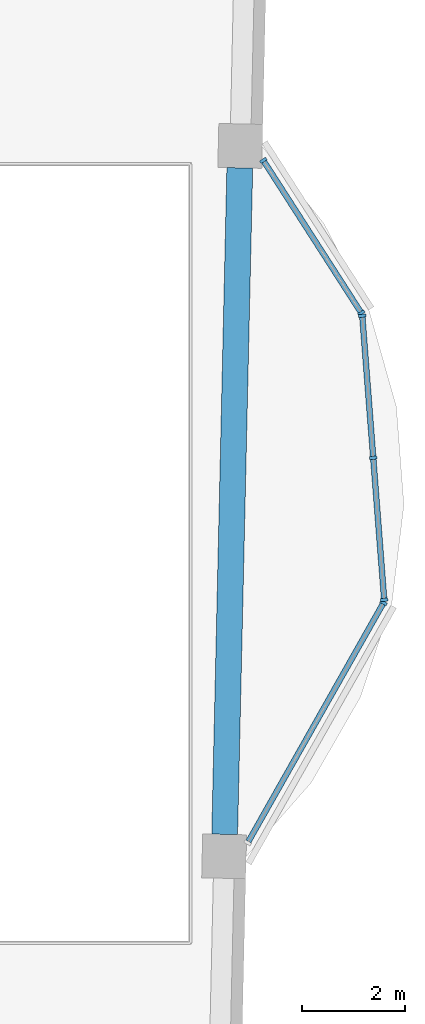
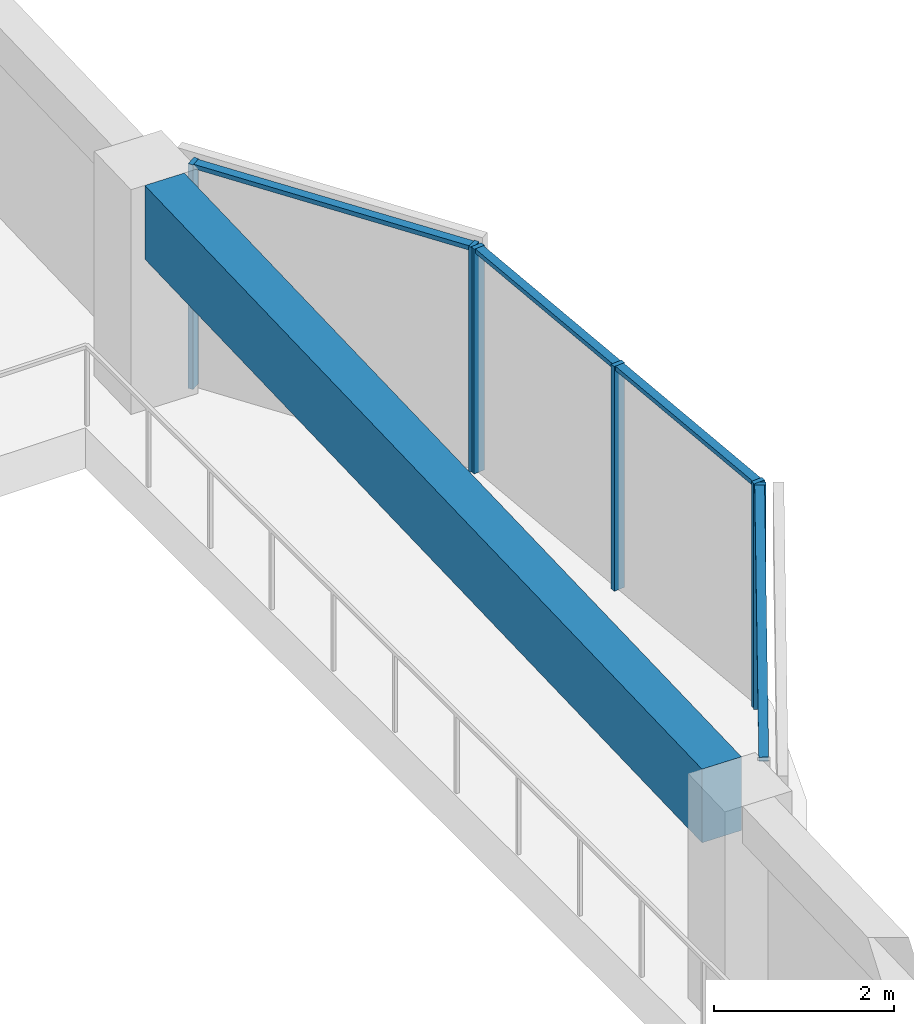
# One storey, part 4 of 11: 10 members, 1 beam, 3 elements without a shape of their own.
"""IFC4 building model written with IfcOpenShell, lengths in metres."""

from ifc_helpers import new_model, si_unit, direction, frame, origin, origin_2d, place, context, subcontext, project, spatial, rectangle, extrude, material, material_profile, profile_set, type_object, element, aggregate, save


model = new_model("IFC4")

# Units and contexts
model_context = context("Model", 3, precision=1e-05, world=origin(), true_north=direction((0.0, 1.0)))
body_context = subcontext(model_context, "Body", "Model", "MODEL_VIEW")
ifc_project = project(units=[si_unit("LENGTHUNIT", "METRE"), si_unit("AREAUNIT", "SQUARE_METRE"), si_unit("VOLUMEUNIT", "CUBIC_METRE"), si_unit("PLANEANGLEUNIT", "RADIAN"), si_unit("MASSUNIT", "GRAM", prefix="KILO")], contexts=[model_context])

# Site, building, storey
site_placement = place(None, origin())
site = spatial("IfcSite", under=ifc_project, at=site_placement, CompositionType="ELEMENT")
building_placement = place(site_placement, origin())
building = spatial("IfcBuilding", under=site, at=building_placement, Name="Mangrove Gate Tower", CompositionType="ELEMENT")
storey_placement = place(building_placement, frame((0.0, 0.0, 334.300048828125)))
storey = spatial("IfcBuildingStorey", under=building, at=storey_placement, Name="L85", CompositionType="ELEMENT", Elevation=334.300048828125)

# Curtain wall, member
ifc_material_1 = material(Name="Aluminium and glass curtain wall", Category="aluminium")
curtain_wall_type = type_object("IfcCurtainWallType", Name="Crown garden glazing wall", PredefinedType="NOTDEFINED", material=ifc_material_1)
curtain_wall_1_placement = place(storey_placement, origin())
curtain_wall_1 = element("IfcCurtainWall", 1, at=curtain_wall_1_placement, inside=storey, type_object=curtain_wall_type, Name="Crown garden glazing E1f1", PredefinedType="NOTDEFINED")
ifc_material_2 = material(Name="Aluminium alloy 6063-T6", Category="aluminium")
ifc_material_profile_1 = material_profile(ifc_material_2, rectangle(XDim=0.06005859375, YDim=0.139892578125, at=origin_2d()))
ifc_profile_set_1 = profile_set([ifc_material_profile_1], Name="Aluminium alloy 6063-T6")
member_type_1 = type_object("IfcMemberType", Name="Crown garden glazing mullion 60x140", PredefinedType="MULLION", material=ifc_profile_set_1)
member_1_placement = place(storey_placement, frame((29.396484375, -0.95361328125, 0.0), z_axis=(0.0, 0.0, 1.0), x_axis=(0.492565947646, 0.870275121568, 0.0)))
member_1 = element("IfcMember", 2, at=member_1_placement, type_object=member_type_1, Name="CWC mullion 2", PredefinedType="MULLION", context=body_context, shape_type="SweptSolid", body=[
    extrude(rectangle(XDim=0.06005859375, YDim=0.139892578125, at=origin_2d()), origin(), (0.0, 0.0, 1.0), 3.050048828125),
])

# Curtain wall, members
curtain_wall_2_placement = place(storey_placement, origin())
curtain_wall_2 = element("IfcCurtainWall", 3, at=curtain_wall_2_placement, inside=storey, type_object=curtain_wall_type, Name="Crown garden glazing E1f2", PredefinedType="NOTDEFINED")
member_2_placement = place(storey_placement, frame((29.408935546875, -0.897705078125, 0.0), z_axis=(0.0, 0.0, 1.0), x_axis=(-0.077023348386, 0.997029289341, 0.0)))
member_2 = element("IfcMember", 4, at=member_2_placement, type_object=member_type_1, Name="CWC mullion 1", PredefinedType="MULLION", context=body_context, shape_type="SweptSolid", body=[
    extrude(rectangle(XDim=0.06005859375, YDim=0.139892578125, at=origin_2d()), origin(), (0.0, 0.0, 1.0), 3.050048828125),
])
member_3_placement = place(storey_placement, frame((29.196533203125, 1.850830078125, 0.0), z_axis=(0.0, 0.0, 1.0), x_axis=(-0.077023348386, 0.997029289341, 0.0)))
member_3 = element("IfcMember", 5, at=member_3_placement, type_object=member_type_1, Name="CWC mullion 2", PredefinedType="MULLION", context=body_context, shape_type="SweptSolid", body=[
    extrude(rectangle(XDim=0.06005859375, YDim=0.139892578125, at=origin_2d()), origin(), (0.0, 0.0, 1.0), 3.050048828125),
])
member_4_placement = place(storey_placement, frame((28.984130859375, 4.599365234375, 0.0), z_axis=(0.0, 0.0, 1.0), x_axis=(-0.077023348386, 0.997029289341, 0.0)))
member_4 = element("IfcMember", 6, at=member_4_placement, type_object=member_type_1, Name="CWC mullion 3", PredefinedType="MULLION", context=body_context, shape_type="SweptSolid", body=[
    extrude(rectangle(XDim=0.06005859375, YDim=0.139892578125, at=origin_2d()), origin(), (0.0, 0.0, 1.0), 3.050048828125),
])

curtain_wall_3_placement = place(storey_placement, origin())
curtain_wall_3 = element("IfcCurtainWall", 7, at=curtain_wall_3_placement, inside=storey, type_object=curtain_wall_type, Name="Crown garden glazing E1f3", PredefinedType="NOTDEFINED")
member_5_placement = place(storey_placement, frame((28.965576171875, 4.654541015625, 0.0), z_axis=(0.0, 0.0, 1.0), x_axis=(-0.540496498899, 0.841346263246, 0.0)))
member_5 = element("IfcMember", 8, at=member_5_placement, type_object=member_type_1, Name="CWC mullion 1", PredefinedType="MULLION", context=body_context, shape_type="SweptSolid", body=[
    extrude(rectangle(XDim=0.06005859375, YDim=0.139892578125, at=origin_2d()), origin(), (0.0, 0.0, 1.0), 3.050048828125),
])
member_6_placement = place(storey_placement, frame((27.069580078125, 7.60595703125, 0.0), z_axis=(0.0, 0.0, 1.0), x_axis=(-0.540496498899, 0.841346263246, 0.0)))
member_6 = element("IfcMember", 9, at=member_6_placement, type_object=member_type_1, Name="CWC mullion 2", PredefinedType="MULLION", context=body_context, shape_type="SweptSolid", body=[
    extrude(rectangle(XDim=0.06005859375, YDim=0.139892578125, at=origin_2d()), origin(), (0.0, 0.0, 1.0), 3.050048828125),
])

# Member
ifc_material_3 = material(Name="Aluminium alloy 6063-T6", Category="aluminium")
ifc_material_profile_2 = material_profile(ifc_material_3, rectangle(XDim=0.06005859375, YDim=0.110107421875, at=origin_2d()))
ifc_profile_set_2 = profile_set([ifc_material_profile_2], Name="Aluminium alloy 6063-T6")
member_type_2 = type_object("IfcMemberType", Name="Crown garden glazing transom 60x110", PredefinedType="USERDEFINED", material=ifc_profile_set_2)
member_7_placement = place(storey_placement, frame((26.7822265625, -5.57275390625, 3.02001953125), z_axis=(0.492532775623, 0.870293895726, 0.0), x_axis=(0.0, 0.0, 1.0)))
member_7 = element("IfcMember", 10, at=member_7_placement, type_object=member_type_2, Name="CWC transom 1.2", ObjectType="TRANSOM", PredefinedType="USERDEFINED", context=body_context, shape_type="SweptSolid", body=[
    extrude(rectangle(XDim=0.06005859375, YDim=0.110107421875, at=origin_2d()), origin(), (0.0, 0.0, 1.0), 5.277587890625),
])

aggregate(curtain_wall_1, [member_1, member_7])

member_8_placement = place(storey_placement, frame((29.406494140625, -0.86767578125, 3.02001953125), z_axis=(-0.076952650158, 0.997034748458, 0.0), x_axis=(0.0, 0.0, 1.0)))
member_8 = element("IfcMember", 11, at=member_8_placement, type_object=member_type_2, Name="CWC transom 1.2", ObjectType="TRANSOM", PredefinedType="USERDEFINED", context=body_context, shape_type="SweptSolid", body=[
    extrude(rectangle(XDim=0.06005859375, YDim=0.110107421875, at=origin_2d()), origin(), (0.0, 0.0, 1.0), 2.69677734375),
])

member_9_placement = place(storey_placement, frame((29.1943359375, 1.880859375, 3.02001953125), z_axis=(-0.077042645639, 0.997027798385, 0.0), x_axis=(0.0, 0.0, 1.0)))
member_9 = element("IfcMember", 12, at=member_9_placement, type_object=member_type_2, Name="CWC transom 2.2", ObjectType="TRANSOM", PredefinedType="USERDEFINED", context=body_context, shape_type="SweptSolid", body=[
    extrude(rectangle(XDim=0.06005859375, YDim=0.110107421875, at=origin_2d()), origin(), (0.0, 0.0, 1.0), 2.69677734375),
])

aggregate(curtain_wall_2, [member_2, member_3, member_4, member_8, member_9])

member_10_placement = place(storey_placement, frame((28.949462890625, 4.6796875, 3.02001953125), z_axis=(-0.540453376302, 0.841373964444, 0.0), x_axis=(0.0, 0.0, 1.0)))
member_10 = element("IfcMember", 13, at=member_10_placement, type_object=member_type_2, Name="CWC transom 1.2", ObjectType="TRANSOM", PredefinedType="USERDEFINED", context=body_context, shape_type="SweptSolid", body=[
    extrude(rectangle(XDim=0.06005859375, YDim=0.110107421875, at=origin_2d()), origin(), (0.0, 0.0, 1.0), 3.447998046875),
])

aggregate(curtain_wall_3, [member_5, member_6, member_10])

# Beam
ifc_material_4 = material(Name="Concrete C50/60", Category="concrete")
ifc_material_profile_3 = material_profile(ifc_material_4, rectangle(XDim=0.5, YDim=1.0, at=origin_2d()))
ifc_profile_set_3 = profile_set([ifc_material_profile_3], Name="Concrete C50/60")
beam_type = type_object("IfcBeamType", Name="Edge beam RC 500x1000 C50/60", PredefinedType="BEAM", material=ifc_profile_set_3)
beam_placement = place(storey_placement, frame((26.32177734375, -5.435546875, 2.550048828125), z_axis=(0.022690883298, 0.999742528762, 0.0), x_axis=(-0.999742528762, 0.022690883298, 0.0)))
element("IfcBeam", 14, at=beam_placement, inside=storey, type_object=beam_type, Name="Edge beam L85 15", PredefinedType="BEAM", context=body_context, shape_type="SweptSolid", body=[
    extrude(rectangle(XDim=0.5, YDim=1.0, at=origin_2d()), origin(), (0.0, 0.0, 1.0), 12.900634765625),
])

save(model, "model.ifc")
